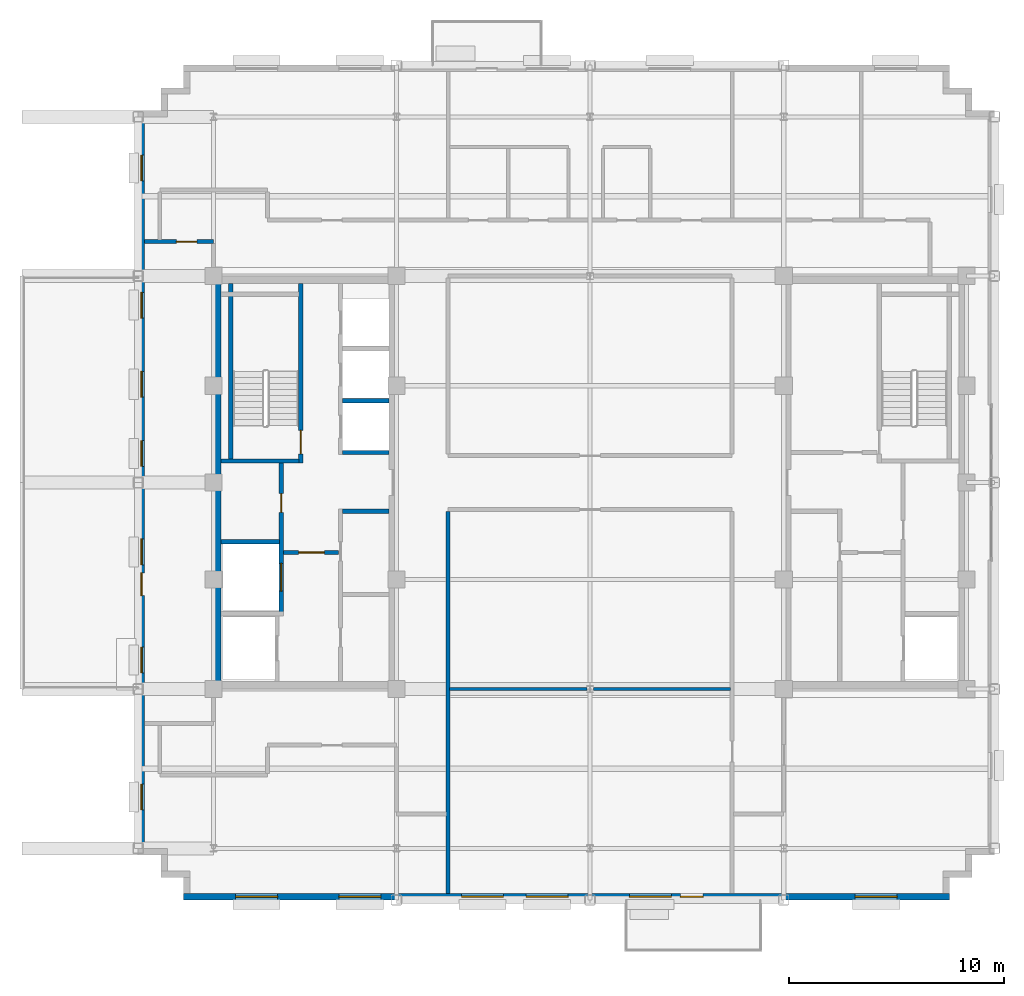
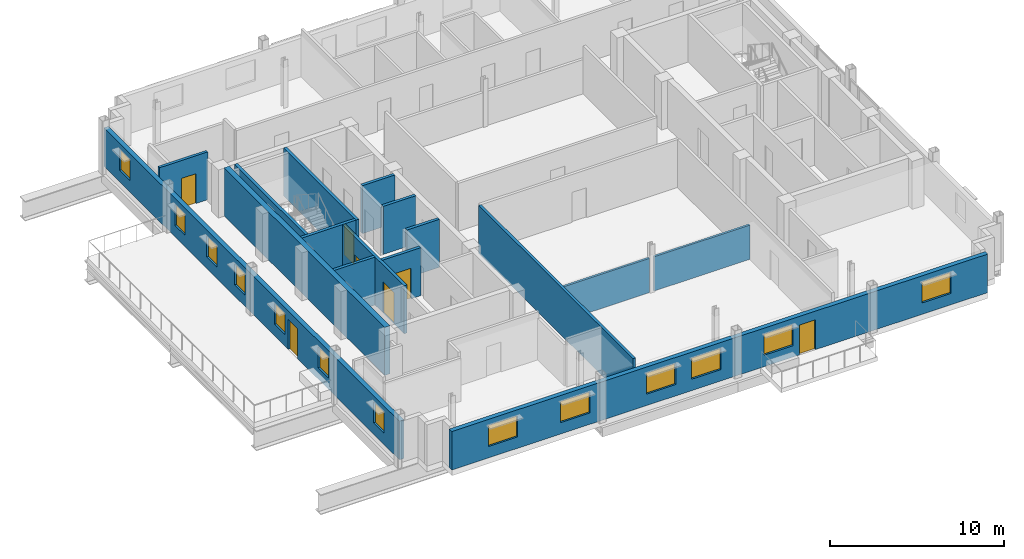
# One storey, part 6 of 14: 16 walls, 13 windows, 7 doors, 20 openings.
"""IFC4 building model written with IfcOpenShell, lengths in metres."""

from ifc_helpers import new_model, si_unit, direction, frame, frame_2d, origin, place, context, subcontext, project, spatial, rectangle, extrude, source, transform, mapped, material, layer, layer_set, type_object, type_shapes, element, fill, save


model = new_model("IFC4")

# Units and contexts
model_context = context("Model", 3, precision=1e-05, world=origin(), true_north=direction((0.0, 1.0)))
body_context = subcontext(model_context, "Body", "Model", "MODEL_VIEW")
ifc_project = project(units=[si_unit("LENGTHUNIT", "METRE"), si_unit("AREAUNIT", "SQUARE_METRE"), si_unit("VOLUMEUNIT", "CUBIC_METRE"), si_unit("PLANEANGLEUNIT", "RADIAN"), si_unit("MASSUNIT", "GRAM", prefix="KILO")], contexts=[model_context])

# Site, building, storey
site_placement = place(None, origin())
site = spatial("IfcSite", under=ifc_project, at=site_placement, CompositionType="ELEMENT")
building_placement = place(site_placement, origin())
building = spatial("IfcBuilding", under=site, at=building_placement, Name="Nuvemarco Arch Tower", CompositionType="ELEMENT")
storey_placement = place(building_placement, frame((0.0, 0.0, 245.64990234375)))
storey = spatial("IfcBuildingStorey", under=building, at=storey_placement, Name="L65", CompositionType="ELEMENT", Elevation=245.64990234375)

# Wall, openings, door, windows
ifc_material_1 = material(Name="Precast concrete C45/55", Category="concrete")
ifc_layer_1 = layer(ifc_material_1, 0.300048828125, Name="EW-HIGH-300")
ifc_layer_set_1 = layer_set([ifc_layer_1], Name="Precast concrete C45/55")
wall_type_1 = type_object("IfcWallType", Name="EW-HIGH-300", PredefinedType="STANDARD", material=ifc_layer_set_1)
wall_1_placement = place(storey_placement, frame((-18.89990234375, -19.25, 0.0), z_axis=(0.0, 0.0, 1.0), x_axis=(1.0, 0.0, 0.0)))
wall_1 = element("IfcWall", 1, at=wall_1_placement, inside=storey, type_object=wall_type_1, Name="L65 exterior precast facade wall 1", PredefinedType="STANDARD", context=body_context, shape_type="SweptSolid", body=[
    extrude(rectangle(XDim=35.599853515625, YDim=0.300048828125, at=frame_2d((17.7998046875, 0.0))), origin(), (0.0, 0.0, 1.0), 2.705078125),
])
opening_1_placement = place(wall_1_placement, frame((24.150146484375, 0.0, 0.0), z_axis=(0.0, 0.0, 1.0), x_axis=(-1.0, 0.0, 0.0)))
opening_1 = element("IfcOpeningElement", 2, at=opening_1_placement, cuts=wall_1, Name="Opening ED-5", PredefinedType="OPENING", context=body_context, shape_type="SweptSolid", body=[
    extrude(rectangle(XDim=1.050048828125, YDim=2.10009765625, at=frame_2d((0.52490234375, 1.050048828125))), frame((0.0, 0.159912109375, 0.0), z_axis=(0.0, -1.0, 0.0), x_axis=(1.0, 0.0, 0.0)), (0.0, 0.0, 1.0), 0.320068359375),
])
opening_2_placement = place(wall_1_placement, frame((2.425048828125, 0.0, 0.800048828125)))
opening_2 = element("IfcOpeningElement", 3, at=opening_2_placement, cuts=wall_1, Name="Opening WN-7", PredefinedType="OPENING", context=body_context, shape_type="SweptSolid", body=[
    extrude(rectangle(XDim=1.949951171875, YDim=1.47998046875, at=frame_2d((0.97509765625, 0.739990234375))), frame((0.0, 0.159912109375, 0.0), z_axis=(0.0, -1.0, 0.0), x_axis=(1.0, 0.0, 0.0)), (0.0, 0.0, 1.0), 0.320068359375),
])
opening_3_placement = place(wall_1_placement, frame((7.22509765625, 0.0, 0.800048828125)))
opening_3 = element("IfcOpeningElement", 4, at=opening_3_placement, cuts=wall_1, Name="Opening WN-7", PredefinedType="OPENING", context=body_context, shape_type="SweptSolid", body=[
    extrude(rectangle(XDim=1.949951171875, YDim=1.47998046875, at=frame_2d((0.97509765625, 0.739990234375))), frame((0.0, 0.159912109375, 0.0), z_axis=(0.0, -1.0, 0.0), x_axis=(1.0, 0.0, 0.0)), (0.0, 0.0, 1.0), 0.320068359375),
])
opening_4_placement = place(wall_1_placement, frame((12.925048828125, 0.0, 0.800048828125)))
opening_4 = element("IfcOpeningElement", 5, at=opening_4_placement, cuts=wall_1, Name="Opening WN-7", PredefinedType="OPENING", context=body_context, shape_type="SweptSolid", body=[
    extrude(rectangle(XDim=1.949951171875, YDim=1.47998046875, at=frame_2d((0.97509765625, 0.739990234375))), frame((0.0, 0.159912109375, 0.0), z_axis=(0.0, -1.0, 0.0), x_axis=(1.0, 0.0, 0.0)), (0.0, 0.0, 1.0), 0.320068359375),
])
opening_5_placement = place(wall_1_placement, frame((15.925048828125, 0.0, 0.800048828125)))
opening_5 = element("IfcOpeningElement", 6, at=opening_5_placement, cuts=wall_1, Name="Opening WN-7", PredefinedType="OPENING", context=body_context, shape_type="SweptSolid", body=[
    extrude(rectangle(XDim=1.949951171875, YDim=1.47998046875, at=frame_2d((0.97509765625, 0.739990234375))), frame((0.0, 0.159912109375, 0.0), z_axis=(0.0, -1.0, 0.0), x_axis=(1.0, 0.0, 0.0)), (0.0, 0.0, 1.0), 0.320068359375),
])
opening_6_placement = place(wall_1_placement, frame((20.72509765625, 0.0, 0.800048828125)))
opening_6 = element("IfcOpeningElement", 7, at=opening_6_placement, cuts=wall_1, Name="Opening WN-7", PredefinedType="OPENING", context=body_context, shape_type="SweptSolid", body=[
    extrude(rectangle(XDim=1.949951171875, YDim=1.47998046875, at=frame_2d((0.97509765625, 0.739990234375))), frame((0.0, 0.159912109375, 0.0), z_axis=(0.0, -1.0, 0.0), x_axis=(1.0, 0.0, 0.0)), (0.0, 0.0, 1.0), 0.320068359375),
])
opening_7_placement = place(wall_1_placement, frame((31.22509765625, 0.0, 0.800048828125)))
opening_7 = element("IfcOpeningElement", 8, at=opening_7_placement, cuts=wall_1, Name="Opening WN-7", PredefinedType="OPENING", context=body_context, shape_type="SweptSolid", body=[
    extrude(rectangle(XDim=1.949951171875, YDim=1.47998046875, at=frame_2d((0.97509765625, 0.739990234375))), frame((0.0, 0.159912109375, 0.0), z_axis=(0.0, -1.0, 0.0), x_axis=(1.0, 0.0, 0.0)), (0.0, 0.0, 1.0), 0.320068359375),
])
ifc_material_2 = material(Name="Anodised bronze and laminated glass", Category="glass")
door_type_1 = type_object("IfcDoorType", Name="DR-EXT-TERR", OperationType="NOTDEFINED", PredefinedType="DOOR", material=ifc_material_2)
shared_shape_1 = source(origin(), body_context, "Body", "SweptSolid", [
    extrude(rectangle(XDim=1.050048828125, YDim=2.10009765625, at=frame_2d((0.52490234375, 1.050048828125))), frame((0.0, 0.02490234375, 0.0), z_axis=(0.0, -1.0, 0.0), x_axis=(1.0, 0.0, 0.0)), (0.0, 0.0, 1.0), 0.050048828125),
])
type_shapes(door_type_1, [shared_shape_1])
door_1_placement = place(opening_1_placement, origin())
door_1 = element("IfcDoor", 9, at=door_1_placement, inside=storey, type_object=door_type_1, Name="L65 spiral terrace access door", OperationType="SINGLE_SWING_RIGHT", OverallHeight=2.10009765625, OverallWidth=1.050048828125, PredefinedType="DOOR", context=body_context, shape_type="MappedRepresentation", body=[
    mapped(shared_shape_1, transform((0.0, 0.0, 0.0), scale=1.0)),
])
fill(opening_1, door_1)
ifc_material_3 = material(Name="Insulated solar-control glass", Category="glass")
window_type_1 = type_object("IfcWindowType", Name="WN-HIGH-1950x1480", PartitioningType="DOUBLE_PANEL_VERTICAL", PredefinedType="WINDOW", material=ifc_material_3)
shared_shape_2 = source(origin(), body_context, "Body", "SweptSolid", [
    extrude(rectangle(XDim=1.949951171875, YDim=1.47998046875, at=frame_2d((0.97509765625, 0.739990234375))), frame((0.0, 0.030029296875, 0.0), z_axis=(0.0, -1.0, 0.0), x_axis=(1.0, 0.0, 0.0)), (0.0, 0.0, 1.0), 0.06005859375),
])
type_shapes(window_type_1, [shared_shape_2])
window_1_placement = place(opening_2_placement, origin())
window_1 = element("IfcWindow", 10, at=window_1_placement, inside=storey, type_object=window_type_1, Name="L65 punched facade window 1", OverallHeight=1.47998046875, OverallWidth=1.949951171875, PartitioningType="SINGLE_PANEL", PredefinedType="WINDOW", context=body_context, shape_type="MappedRepresentation", body=[
    mapped(shared_shape_2, transform((0.0, 0.0, 0.0), scale=1.0)),
])
fill(opening_2, window_1)
window_2_placement = place(opening_3_placement, origin())
window_2 = element("IfcWindow", 11, at=window_2_placement, inside=storey, type_object=window_type_1, Name="L65 punched facade window 2", OverallHeight=1.47998046875, OverallWidth=1.949951171875, PartitioningType="SINGLE_PANEL", PredefinedType="WINDOW", context=body_context, shape_type="MappedRepresentation", body=[
    mapped(shared_shape_2, transform((0.0, 0.0, 0.0), scale=1.0)),
])
fill(opening_3, window_2)
window_3_placement = place(opening_4_placement, origin())
window_3 = element("IfcWindow", 12, at=window_3_placement, inside=storey, type_object=window_type_1, Name="L65 punched facade window 3", OverallHeight=1.47998046875, OverallWidth=1.949951171875, PartitioningType="SINGLE_PANEL", PredefinedType="WINDOW", context=body_context, shape_type="MappedRepresentation", body=[
    mapped(shared_shape_2, transform((0.0, 0.0, 0.0), scale=1.0)),
])
fill(opening_4, window_3)
window_4_placement = place(opening_5_placement, origin())
window_4 = element("IfcWindow", 13, at=window_4_placement, inside=storey, type_object=window_type_1, Name="L65 punched facade window 4", OverallHeight=1.47998046875, OverallWidth=1.949951171875, PartitioningType="SINGLE_PANEL", PredefinedType="WINDOW", context=body_context, shape_type="MappedRepresentation", body=[
    mapped(shared_shape_2, transform((0.0, 0.0, 0.0), scale=1.0)),
])
fill(opening_5, window_4)
window_5_placement = place(opening_6_placement, origin())
window_5 = element("IfcWindow", 14, at=window_5_placement, inside=storey, type_object=window_type_1, Name="L65 punched facade window 5", OverallHeight=1.47998046875, OverallWidth=1.949951171875, PartitioningType="SINGLE_PANEL", PredefinedType="WINDOW", context=body_context, shape_type="MappedRepresentation", body=[
    mapped(shared_shape_2, transform((0.0, 0.0, 0.0), scale=1.0)),
])
fill(opening_6, window_5)
window_6_placement = place(opening_7_placement, origin())
window_6 = element("IfcWindow", 15, at=window_6_placement, inside=storey, type_object=window_type_1, Name="L65 punched facade window 7", OverallHeight=1.47998046875, OverallWidth=1.949951171875, PartitioningType="SINGLE_PANEL", PredefinedType="WINDOW", context=body_context, shape_type="MappedRepresentation", body=[
    mapped(shared_shape_2, transform((0.0, 0.0, 0.0), scale=1.0)),
])
fill(opening_7, window_6)

wall_2_placement = place(storey_placement, frame((-20.85009765625, -17.00390625, 0.0), z_axis=(0.0, 0.0, 1.0), x_axis=(0.0, 1.0, 0.0)))
wall_2 = element("IfcWall", 16, at=wall_2_placement, inside=storey, type_object=wall_type_1, Name="L65 exterior precast facade wall 16", PredefinedType="STANDARD", context=body_context, shape_type="SweptSolid", body=[
    extrude(rectangle(XDim=34.0078125, YDim=0.300048828125, at=frame_2d((17.00390625, 0.0))), origin(), (0.0, 0.0, 1.0), 2.705078125),
])
opening_8_placement = place(wall_2_placement, frame((11.75390625, 0.0, 0.0)))
opening_8 = element("IfcOpeningElement", 17, at=opening_8_placement, cuts=wall_2, Name="Opening ED-5", PredefinedType="OPENING", context=body_context, shape_type="SweptSolid", body=[
    extrude(rectangle(XDim=1.050048828125, YDim=2.10009765625, at=frame_2d((0.52490234375, 1.050048828125))), frame((0.0, 0.159912109375, 0.0), z_axis=(0.0, -1.0, 0.0), x_axis=(1.0, 0.0, 0.0)), (0.0, 0.0, 1.0), 0.320068359375),
])
opening_9_placement = place(wall_2_placement, frame((1.786376953125, 0.0, 0.800048828125)))
opening_9 = element("IfcOpeningElement", 18, at=opening_9_placement, cuts=wall_2, Name="Opening WN-8", PredefinedType="OPENING", context=body_context, shape_type="SweptSolid", body=[
    extrude(rectangle(XDim=1.199951171875, YDim=1.47998046875, at=frame_2d((0.60009765625, 0.739990234375))), frame((0.0, 0.159912109375, 0.0), z_axis=(0.0, -1.0, 0.0), x_axis=(1.0, 0.0, 0.0)), (0.0, 0.0, 1.0), 0.320068359375),
])
opening_10_placement = place(wall_2_placement, frame((8.158935546875, 0.0, 0.800048828125)))
opening_10 = element("IfcOpeningElement", 19, at=opening_10_placement, cuts=wall_2, Name="Opening WN-8", PredefinedType="OPENING", context=body_context, shape_type="SweptSolid", body=[
    extrude(rectangle(XDim=1.199951171875, YDim=1.47998046875, at=frame_2d((0.60009765625, 0.739990234375))), frame((0.0, 0.159912109375, 0.0), z_axis=(0.0, -1.0, 0.0), x_axis=(1.0, 0.0, 0.0)), (0.0, 0.0, 1.0), 0.320068359375),
])
opening_11_placement = place(wall_2_placement, frame((13.181396484375, 0.0, 0.800048828125)))
opening_11 = element("IfcOpeningElement", 20, at=opening_11_placement, cuts=wall_2, Name="Opening WN-8", PredefinedType="OPENING", context=body_context, shape_type="SweptSolid", body=[
    extrude(rectangle(XDim=1.199951171875, YDim=1.47998046875, at=frame_2d((0.60009765625, 0.739990234375))), frame((0.0, 0.159912109375, 0.0), z_axis=(0.0, -1.0, 0.0), x_axis=(1.0, 0.0, 0.0)), (0.0, 0.0, 1.0), 0.320068359375),
])
opening_12_placement = place(wall_2_placement, frame((17.75390625, 0.0, 0.800048828125)))
opening_12 = element("IfcOpeningElement", 21, at=opening_12_placement, cuts=wall_2, Name="Opening WN-8", PredefinedType="OPENING", context=body_context, shape_type="SweptSolid", body=[
    extrude(rectangle(XDim=1.199951171875, YDim=1.47998046875, at=frame_2d((0.60009765625, 0.739990234375))), frame((0.0, 0.159912109375, 0.0), z_axis=(0.0, -1.0, 0.0), x_axis=(1.0, 0.0, 0.0)), (0.0, 0.0, 1.0), 0.320068359375),
])
opening_13_placement = place(wall_2_placement, frame((20.9765625, 0.0, 0.800048828125)))
opening_13 = element("IfcOpeningElement", 22, at=opening_13_placement, cuts=wall_2, Name="Opening WN-8", PredefinedType="OPENING", context=body_context, shape_type="SweptSolid", body=[
    extrude(rectangle(XDim=1.199951171875, YDim=1.47998046875, at=frame_2d((0.60009765625, 0.739990234375))), frame((0.0, 0.159912109375, 0.0), z_axis=(0.0, -1.0, 0.0), x_axis=(1.0, 0.0, 0.0)), (0.0, 0.0, 1.0), 0.320068359375),
])
opening_14_placement = place(wall_2_placement, frame((24.649169921875, 0.0, 0.800048828125)))
opening_14 = element("IfcOpeningElement", 23, at=opening_14_placement, cuts=wall_2, Name="Opening WN-8", PredefinedType="OPENING", context=body_context, shape_type="SweptSolid", body=[
    extrude(rectangle(XDim=1.199951171875, YDim=1.47998046875, at=frame_2d((0.60009765625, 0.739990234375))), frame((0.0, 0.159912109375, 0.0), z_axis=(0.0, -1.0, 0.0), x_axis=(1.0, 0.0, 0.0)), (0.0, 0.0, 1.0), 0.320068359375),
])
opening_15_placement = place(wall_2_placement, frame((31.021728515625, 0.0, 0.800048828125)))
opening_15 = element("IfcOpeningElement", 24, at=opening_15_placement, cuts=wall_2, Name="Opening WN-8", PredefinedType="OPENING", context=body_context, shape_type="SweptSolid", body=[
    extrude(rectangle(XDim=1.199951171875, YDim=1.47998046875, at=frame_2d((0.60009765625, 0.739990234375))), frame((0.0, 0.159912109375, 0.0), z_axis=(0.0, -1.0, 0.0), x_axis=(1.0, 0.0, 0.0)), (0.0, 0.0, 1.0), 0.320068359375),
])
door_2_placement = place(opening_8_placement, origin())
door_2 = element("IfcDoor", 25, at=door_2_placement, inside=storey, type_object=door_type_1, Name="L65 setback terrace access door", OperationType="SINGLE_SWING_RIGHT", OverallHeight=2.10009765625, OverallWidth=1.050048828125, PredefinedType="DOOR", context=body_context, shape_type="MappedRepresentation", body=[
    mapped(shared_shape_1, transform((0.0, 0.0, 0.0), scale=1.0)),
])
fill(opening_8, door_2)
window_type_2 = type_object("IfcWindowType", Name="WN-HIGH-1200x1480", PartitioningType="SINGLE_PANEL", PredefinedType="WINDOW", material=ifc_material_3)
shared_shape_3 = source(origin(), body_context, "Body", "SweptSolid", [
    extrude(rectangle(XDim=1.199951171875, YDim=1.47998046875, at=frame_2d((0.60009765625, 0.739990234375))), frame((0.0, 0.030029296875, 0.0), z_axis=(0.0, -1.0, 0.0), x_axis=(1.0, 0.0, 0.0)), (0.0, 0.0, 1.0), 0.06005859375),
])
type_shapes(window_type_2, [shared_shape_3])
window_7_placement = place(opening_9_placement, origin())
window_7 = element("IfcWindow", 26, at=window_7_placement, inside=storey, type_object=window_type_2, Name="L65 punched facade window 1", OverallHeight=1.47998046875, OverallWidth=1.199951171875, PartitioningType="SINGLE_PANEL", PredefinedType="WINDOW", context=body_context, shape_type="MappedRepresentation", body=[
    mapped(shared_shape_3, transform((0.0, 0.0, 0.0), scale=1.0)),
])
fill(opening_9, window_7)
window_8_placement = place(opening_10_placement, origin())
window_8 = element("IfcWindow", 27, at=window_8_placement, inside=storey, type_object=window_type_2, Name="L65 punched facade window 2", OverallHeight=1.47998046875, OverallWidth=1.199951171875, PartitioningType="SINGLE_PANEL", PredefinedType="WINDOW", context=body_context, shape_type="MappedRepresentation", body=[
    mapped(shared_shape_3, transform((0.0, 0.0, 0.0), scale=1.0)),
])
fill(opening_10, window_8)
window_9_placement = place(opening_11_placement, origin())
window_9 = element("IfcWindow", 28, at=window_9_placement, inside=storey, type_object=window_type_2, Name="L65 punched facade window 3", OverallHeight=1.47998046875, OverallWidth=1.199951171875, PartitioningType="SINGLE_PANEL", PredefinedType="WINDOW", context=body_context, shape_type="MappedRepresentation", body=[
    mapped(shared_shape_3, transform((0.0, 0.0, 0.0), scale=1.0)),
])
fill(opening_11, window_9)
window_10_placement = place(opening_12_placement, origin())
window_10 = element("IfcWindow", 29, at=window_10_placement, inside=storey, type_object=window_type_2, Name="L65 punched facade window 4", OverallHeight=1.47998046875, OverallWidth=1.199951171875, PartitioningType="SINGLE_PANEL", PredefinedType="WINDOW", context=body_context, shape_type="MappedRepresentation", body=[
    mapped(shared_shape_3, transform((0.0, 0.0, 0.0), scale=1.0)),
])
fill(opening_12, window_10)
window_11_placement = place(opening_13_placement, origin())
window_11 = element("IfcWindow", 30, at=window_11_placement, inside=storey, type_object=window_type_2, Name="L65 punched facade window 5", OverallHeight=1.47998046875, OverallWidth=1.199951171875, PartitioningType="SINGLE_PANEL", PredefinedType="WINDOW", context=body_context, shape_type="MappedRepresentation", body=[
    mapped(shared_shape_3, transform((0.0, 0.0, 0.0), scale=1.0)),
])
fill(opening_13, window_11)
window_12_placement = place(opening_14_placement, origin())
window_12 = element("IfcWindow", 31, at=window_12_placement, inside=storey, type_object=window_type_2, Name="L65 punched facade window 6", OverallHeight=1.47998046875, OverallWidth=1.199951171875, PartitioningType="SINGLE_PANEL", PredefinedType="WINDOW", context=body_context, shape_type="MappedRepresentation", body=[
    mapped(shared_shape_3, transform((0.0, 0.0, 0.0), scale=1.0)),
])
fill(opening_14, window_12)
window_13_placement = place(opening_15_placement, origin())
window_13 = element("IfcWindow", 32, at=window_13_placement, inside=storey, type_object=window_type_2, Name="L65 punched facade window 7", OverallHeight=1.47998046875, OverallWidth=1.199951171875, PartitioningType="SINGLE_PANEL", PredefinedType="WINDOW", context=body_context, shape_type="MappedRepresentation", body=[
    mapped(shared_shape_3, transform((0.0, 0.0, 0.0), scale=1.0)),
])
fill(opening_15, window_13)

# Wall
ifc_material_4 = material(Name="Concrete C50/60", Category="concrete")
ifc_layer_2 = layer(ifc_material_4, 0.35009765625, Name="WL-CORE-350")
ifc_layer_set_2 = layer_set([ifc_layer_2], Name="Concrete C50/60")
wall_type_2 = type_object("IfcWallType", Name="WL-CORE-350", PredefinedType="SHEAR", material=ifc_layer_set_2)
wall_3_placement = place(storey_placement, frame((-17.324951171875, -9.2548828125, 0.0), z_axis=(0.0, 0.0, 1.0), x_axis=(0.0, 1.0, 0.0)))
element("IfcWall", 33, at=wall_3_placement, inside=storey, type_object=wall_type_2, Name="L65 W-core shear wall W", PredefinedType="SHEAR", context=body_context, shape_type="SweptSolid", body=[
    extrude(rectangle(XDim=18.509765625, YDim=0.35009765625, at=frame_2d((9.2548828125, 0.0))), origin(), (0.0, 0.0, 1.0), 3.3701171875),
])

# Wall, opening, door
ifc_material_5 = material(Name="Fire-rated gypsum drywall partition")
ifc_layer_3 = layer(ifc_material_5, 0.179931640625, Name="WL-CORR-180")
ifc_layer_set_3 = layer_set([ifc_layer_3], Name="Fire-rated gypsum drywall partition")
wall_type_3 = type_object("IfcWallType", Name="WL-CORR-180", PredefinedType="PARTITIONING", material=ifc_layer_set_3)
wall_4_placement = place(storey_placement, frame((-20.699951171875, 11.199951171875, 0.0), z_axis=(0.0, 0.0, 1.0), x_axis=(1.0, 0.0, 0.0)))
wall_4 = element("IfcWall", 34, at=wall_4_placement, inside=storey, type_object=wall_type_3, Name="L65 interior wall IW-L65-012", PredefinedType="PARTITIONING", context=body_context, shape_type="SweptSolid", body=[
    extrude(rectangle(XDim=3.199951171875, YDim=0.179931640625, at=frame_2d((1.60009765625, 0.0))), origin(), (0.0, 0.0, 1.0), 3.360107421875),
])
opening_16_placement = place(wall_4_placement, frame((1.469970703125, 0.0, 0.0)))
opening_16 = element("IfcOpeningElement", 35, at=opening_16_placement, cuts=wall_4, Name="Opening FD-5", PredefinedType="OPENING", context=body_context, shape_type="SweptSolid", body=[
    extrude(rectangle(XDim=0.9599609375, YDim=2.10009765625, at=frame_2d((0.47998046875, 1.050048828125))), frame((0.0, 0.099853515625, 0.0), z_axis=(0.0, -1.0, 0.0), x_axis=(1.0, 0.0, 0.0)), (0.0, 0.0, 1.0), 0.199951171875),
])
ifc_material_6 = material(Name="Timber fire door", Category="wood")
door_type_2 = type_object("IfcDoorType", Name="DR-CORR-FD", OperationType="NOTDEFINED", PredefinedType="DOOR", material=ifc_material_6)
shared_shape_4 = source(origin(), body_context, "Body", "SweptSolid", [
    extrude(rectangle(XDim=0.9599609375, YDim=2.10009765625, at=frame_2d((0.47998046875, 1.050048828125))), frame((0.0, 0.02490234375, 0.0), z_axis=(0.0, -1.0, 0.0), x_axis=(1.0, 0.0, 0.0)), (0.0, 0.0, 1.0), 0.050048828125),
])
type_shapes(door_type_2, [shared_shape_4])
door_3_placement = place(opening_16_placement, origin())
door_3 = element("IfcDoor", 36, at=door_3_placement, inside=storey, type_object=door_type_2, Name="L65 door DR-L65-W_1", OperationType="SINGLE_SWING_LEFT", OverallHeight=2.10009765625, OverallWidth=0.9599609375, PredefinedType="DOOR", context=body_context, shape_type="MappedRepresentation", body=[
    mapped(shared_shape_4, transform((0.0, 0.0, 0.0), scale=1.0)),
])
fill(opening_16, door_3)

# Walls
wall_5_placement = place(storey_placement, frame((-6.60009765625, -19.10009765625, 0.0), z_axis=(0.0, 0.0, 1.0), x_axis=(0.0, 1.0, 0.0)))
element("IfcWall", 37, at=wall_5_placement, inside=storey, type_object=wall_type_3, Name="L65 interior wall IW-L65-024", PredefinedType="PARTITIONING", context=body_context, shape_type="SweptSolid", body=[
    extrude(rectangle(XDim=17.76416015625, YDim=0.179931640625, at=frame_2d((8.882080078125, 0.0))), origin(), (0.0, 0.0, 1.0), 3.360107421875),
])
ifc_material_7 = material(Name="Gypsum plasterboard partition")
ifc_layer_4 = layer(ifc_material_7, 0.139892578125, Name="WL-ROOM-140")
ifc_layer_set_4 = layer_set([ifc_layer_4], Name="Gypsum plasterboard partition")
wall_type_4 = type_object("IfcWallType", Name="WL-ROOM-140", PredefinedType="PARTITIONING", material=ifc_layer_set_4)
wall_6_placement = place(storey_placement, frame((-6.52392578125, -9.60009765625, 0.0), z_axis=(0.0, 0.0, 1.0), x_axis=(1.0, 0.0, 0.0)))
element("IfcWall", 38, at=wall_6_placement, inside=storey, type_object=wall_type_4, Name="L65 interior wall IW-L65-006", PredefinedType="PARTITIONING", context=body_context, shape_type="SweptSolid", body=[
    extrude(rectangle(XDim=6.373046875, YDim=0.139892578125, at=frame_2d((3.1865234375, 0.0))), origin(), (0.0, 0.0, 1.0), 2.405029296875),
])
wall_7_placement = place(storey_placement, frame((0.15087890625, -9.60009765625, 0.0), z_axis=(0.0, 0.0, 1.0), x_axis=(1.0, 0.0, 0.0)))
element("IfcWall", 39, at=wall_7_placement, inside=storey, type_object=wall_type_4, Name="L65 interior wall IW-L65-007", PredefinedType="PARTITIONING", context=body_context, shape_type="SweptSolid", body=[
    extrude(rectangle(XDim=6.383056640625, YDim=0.139892578125, at=frame_2d((3.19140625, 0.0))), origin(), (0.0, 0.0, 1.0), 2.405029296875),
])

# Wall, opening, door
ifc_layer_5 = layer(ifc_material_4, 0.199951171875, Name="WL-SHAFT-220")
ifc_layer_set_5 = layer_set([ifc_layer_5], Name="Concrete C50/60")
wall_type_5 = type_object("IfcWallType", Name="WL-SHAFT-220", PredefinedType="SHEAR", material=ifc_layer_set_5)
wall_8_placement = place(storey_placement, frame((-13.43994140625, 0.89990234375, 0.0), z_axis=(0.0, 0.0, 1.0), x_axis=(0.0, 1.0, 0.0)))
wall_8 = element("IfcWall", 40, at=wall_8_placement, inside=storey, type_object=wall_type_5, Name="L65 structural shaft wall SW-L65-W-ST1E", PredefinedType="SHEAR", context=body_context, shape_type="SweptSolid", body=[
    extrude(rectangle(XDim=8.35498046875, YDim=0.199951171875, at=frame_2d((4.177490234375, 0.0))), origin(), (0.0, 0.0, 1.0), 3.3701171875),
])
opening_17_placement = place(wall_8_placement, frame((1.530029296875, 0.0, 0.0), z_axis=(0.0, 0.0, 1.0), x_axis=(-1.0, 0.0, 0.0)))
opening_17 = element("IfcOpeningElement", 41, at=opening_17_placement, cuts=wall_8, Name="Opening FD-1", PredefinedType="OPENING", context=body_context, shape_type="SweptSolid", body=[
    extrude(rectangle(XDim=1.10009765625, YDim=2.14990234375, at=frame_2d((0.550048828125, 1.074951171875))), frame((0.0, 0.10986328125, 0.0), z_axis=(0.0, -1.0, 0.0), x_axis=(1.0, 0.0, 0.0)), (0.0, 0.0, 1.0), 0.219970703125),
])
ifc_material_8 = material(Name="Anodised steel fire door", Category="steel")
door_type_3 = type_object("IfcDoorType", Name="DR-STAIR-FD", OperationType="NOTDEFINED", PredefinedType="DOOR", material=ifc_material_8)
shared_shape_5 = source(origin(), body_context, "Body", "SweptSolid", [
    extrude(rectangle(XDim=1.10009765625, YDim=2.14990234375, at=frame_2d((0.550048828125, 1.074951171875))), frame((0.0, 0.02490234375, 0.0), z_axis=(0.0, -1.0, 0.0), x_axis=(1.0, 0.0, 0.0)), (0.0, 0.0, 1.0), 0.050048828125),
])
type_shapes(door_type_3, [shared_shape_5])
door_4_placement = place(opening_17_placement, origin())
door_4 = element("IfcDoor", 42, at=door_4_placement, inside=storey, type_object=door_type_3, Name="L65 door FD-L65-ST1", OperationType="SINGLE_SWING_RIGHT", OverallHeight=2.14990234375, OverallWidth=1.10009765625, PredefinedType="DOOR", context=body_context, shape_type="MappedRepresentation", body=[
    mapped(shared_shape_5, transform((0.0, 0.0, 0.0), scale=1.0)),
])
fill(opening_17, door_4)

# Walls
wall_9_placement = place(storey_placement, frame((-17.155029296875, 1.0, 0.0), z_axis=(0.0, 0.0, 1.0), x_axis=(1.0, 0.0, 0.0)))
element("IfcWall", 43, at=wall_9_placement, inside=storey, type_object=wall_type_5, Name="L65 structural shaft wall SW-L65-W-ST1S", PredefinedType="SHEAR", context=body_context, shape_type="SweptSolid", body=[
    extrude(rectangle(XDim=3.6201171875, YDim=0.199951171875, at=frame_2d((1.81005859375, 0.0))), origin(), (0.0, 0.0, 1.0), 3.3701171875),
])
wall_10_placement = place(storey_placement, frame((-16.699951171875, 1.094970703125, 0.0), z_axis=(0.0, 0.0, 1.0), x_axis=(0.0, 1.0, 0.0)))
element("IfcWall", 44, at=wall_10_placement, inside=storey, type_object=wall_type_5, Name="L65 structural shaft wall SW-L65-W-ST1W", PredefinedType="SHEAR", context=body_context, shape_type="SweptSolid", body=[
    extrude(rectangle(XDim=8.159912109375, YDim=0.199951171875, at=frame_2d((4.080078125, 0.0))), origin(), (0.0, 0.0, 1.0), 3.3701171875),
])

# Wall, openings, doors
wall_11_placement = place(storey_placement, frame((-14.35009765625, -6.199951171875, 0.0), z_axis=(0.0, 0.0, 1.0), x_axis=(0.0, 1.0, 0.0)))
wall_11 = element("IfcWall", 45, at=wall_11_placement, inside=storey, type_object=wall_type_5, Name="L65 structural shaft wall SW-L65-W-SVE", PredefinedType="SHEAR", context=body_context, shape_type="SweptSolid", body=[
    extrude(rectangle(XDim=7.10498046875, YDim=0.199951171875, at=frame_2d((3.552490234375, 0.0))), origin(), (0.0, 0.0, 1.0), 3.3701171875),
])
opening_18_placement = place(wall_11_placement, frame((5.68994140625, 0.0, 0.0), z_axis=(0.0, 0.0, 1.0), x_axis=(-1.0, 0.0, 0.0)))
opening_18 = element("IfcOpeningElement", 46, at=opening_18_placement, cuts=wall_11, Name="Opening FD-4", PredefinedType="OPENING", context=body_context, shape_type="SweptSolid", body=[
    extrude(rectangle(XDim=0.8798828125, YDim=2.10009765625, at=frame_2d((0.43994140625, 1.050048828125))), frame((0.0, 0.10986328125, 0.0), z_axis=(0.0, -1.0, 0.0), x_axis=(1.0, 0.0, 0.0)), (0.0, 0.0, 1.0), 0.219970703125),
])
opening_19_placement = place(wall_11_placement, frame((1.14990234375, 0.0, 0.0)))
opening_19 = element("IfcOpeningElement", 47, at=opening_19_placement, cuts=wall_11, Name="Opening LD-3", PredefinedType="OPENING", context=body_context, shape_type="SweptSolid", body=[
    extrude(rectangle(XDim=1.300048828125, YDim=2.199951171875, at=frame_2d((0.64990234375, 1.10009765625))), frame((0.0, 0.10986328125, 0.0), z_axis=(0.0, -1.0, 0.0), x_axis=(1.0, 0.0, 0.0)), (0.0, 0.0, 1.0), 0.219970703125),
])
door_type_4 = type_object("IfcDoorType", Name="DR-RISER-FD", OperationType="NOTDEFINED", PredefinedType="DOOR", material=ifc_material_8)
shared_shape_6 = source(origin(), body_context, "Body", "SweptSolid", [
    extrude(rectangle(XDim=0.8798828125, YDim=2.10009765625, at=frame_2d((0.43994140625, 1.050048828125))), frame((0.0, 0.02490234375, 0.0), z_axis=(0.0, -1.0, 0.0), x_axis=(1.0, 0.0, 0.0)), (0.0, 0.0, 1.0), 0.050048828125),
])
type_shapes(door_type_4, [shared_shape_6])
door_5_placement = place(opening_18_placement, origin())
door_5 = element("IfcDoor", 48, at=door_5_placement, inside=storey, type_object=door_type_4, Name="L65 door FD-L65-WRIS", OperationType="SINGLE_SWING_RIGHT", OverallHeight=2.10009765625, OverallWidth=0.8798828125, PredefinedType="DOOR", context=body_context, shape_type="MappedRepresentation", body=[
    mapped(shared_shape_6, transform((0.0, 0.0, 0.0), scale=1.0)),
])
fill(opening_18, door_5)
ifc_material_9 = material(Name="Stainless steel lift door", Category="steel")
door_type_5 = type_object("IfcDoorType", Name="DR-LIFT-SERV", OperationType="DOUBLE_DOOR_SLIDING", PredefinedType="DOOR", material=ifc_material_9)
shared_shape_7 = source(origin(), body_context, "Body", "SweptSolid", [
    extrude(rectangle(XDim=1.300048828125, YDim=2.199951171875, at=frame_2d((0.64990234375, 1.10009765625))), frame((0.0, 0.02490234375, 0.0), z_axis=(0.0, -1.0, 0.0), x_axis=(1.0, 0.0, 0.0)), (0.0, 0.0, 1.0), 0.050048828125),
])
type_shapes(door_type_5, [shared_shape_7])
door_6_placement = place(opening_19_placement, origin())
door_6 = element("IfcDoor", 49, at=door_6_placement, inside=storey, type_object=door_type_5, Name="L65 Lift landing sliding door SVL-1", OperationType="DOUBLE_DOOR_SLIDING", OverallHeight=2.199951171875, OverallWidth=1.300048828125, PredefinedType="DOOR", context=body_context, shape_type="MappedRepresentation", body=[
    mapped(shared_shape_7, transform((0.0, 0.0, 0.0), scale=1.0)),
])
fill(opening_19, door_6)

# Wall
wall_12_placement = place(storey_placement, frame((-17.155029296875, -2.75, 0.0), z_axis=(0.0, 0.0, 1.0), x_axis=(1.0, 0.0, 0.0)))
element("IfcWall", 50, at=wall_12_placement, inside=storey, type_object=wall_type_5, Name="L65 structural shaft wall SW-L65-W-SH2", PredefinedType="SHEAR", context=body_context, shape_type="SweptSolid", body=[
    extrude(rectangle(XDim=2.7099609375, YDim=0.199951171875, at=frame_2d((1.35498046875, 0.0))), origin(), (0.0, 0.0, 1.0), 3.3701171875),
])

# Wall, opening, door
wall_13_placement = place(storey_placement, frame((-14.2548828125, -3.25, 0.0), z_axis=(0.0, 0.0, 1.0), x_axis=(1.0, 0.0, 0.0)))
wall_13 = element("IfcWall", 51, at=wall_13_placement, inside=storey, type_object=wall_type_5, Name="L65 structural shaft wall SW-L65-W-FFN", PredefinedType="SHEAR", context=body_context, shape_type="SweptSolid", body=[
    extrude(rectangle(XDim=2.559814453125, YDim=0.199951171875, at=frame_2d((1.27978515625, 0.0))), origin(), (0.0, 0.0, 1.0), 3.3701171875),
])
opening_20_placement = place(wall_13_placement, frame((0.705078125, 0.0, 0.0)))
opening_20 = element("IfcOpeningElement", 52, at=opening_20_placement, cuts=wall_13, Name="Opening FD-2", PredefinedType="OPENING", context=body_context, shape_type="SweptSolid", body=[
    extrude(rectangle(XDim=1.199951171875, YDim=2.14990234375, at=frame_2d((0.60009765625, 1.074951171875))), frame((0.0, 0.10986328125, 0.0), z_axis=(0.0, -1.0, 0.0), x_axis=(1.0, 0.0, 0.0)), (0.0, 0.0, 1.0), 0.219970703125),
])
door_type_6 = type_object("IfcDoorType", Name="DR-FFLOB-FD", OperationType="NOTDEFINED", PredefinedType="DOOR", material=ifc_material_8)
shared_shape_8 = source(origin(), body_context, "Body", "SweptSolid", [
    extrude(rectangle(XDim=1.199951171875, YDim=2.14990234375, at=frame_2d((0.60009765625, 1.074951171875))), frame((0.0, 0.02490234375, 0.0), z_axis=(0.0, -1.0, 0.0), x_axis=(1.0, 0.0, 0.0)), (0.0, 0.0, 1.0), 0.050048828125),
])
type_shapes(door_type_6, [shared_shape_8])
door_7_placement = place(opening_20_placement, origin())
door_7 = element("IfcDoor", 53, at=door_7_placement, inside=storey, type_object=door_type_6, Name="L65 door FD-L65-WFF1", OperationType="SINGLE_SWING_RIGHT", OverallHeight=2.14990234375, OverallWidth=1.199951171875, PredefinedType="DOOR", context=body_context, shape_type="MappedRepresentation", body=[
    mapped(shared_shape_8, transform((0.0, 0.0, 0.0), scale=1.0)),
])
fill(opening_20, door_7)

# Walls
for number, where, z_axis, x_axis, name in (
    (54, (-11.5048828125, -1.330078125, 0.0), (0.0, 0.0, 1.0), (1.0, 0.0, 0.0), "L65 structural shaft wall SW-L65-W-PLTOP"),
    (55, (-11.5048828125, 1.39990234375, 0.0), (0.0, 0.0, 1.0), (1.0, 0.0, 0.0), "L65 structural shaft wall SW-L65-W-PHD1"),
    (56, (-11.5048828125, 3.800048828125, 0.0), (0.0, 0.0, 1.0), (1.0, 0.0, 0.0), "L65 structural shaft wall SW-L65-W-PHD2"),
):
    element("IfcWall", number, at=place(storey_placement, frame(where, z_axis=z_axis, x_axis=x_axis)), inside=storey, type_object=wall_type_5, Name=name, PredefinedType="SHEAR", context=body_context, shape_type="SweptSolid", body=[
        extrude(rectangle(XDim=2.159912109375, YDim=0.199951171875, at=frame_2d((1.080078125, 0.0))), origin(), (0.0, 0.0, 1.0), 3.3701171875),
    ])

save(model, "model.ifc")
